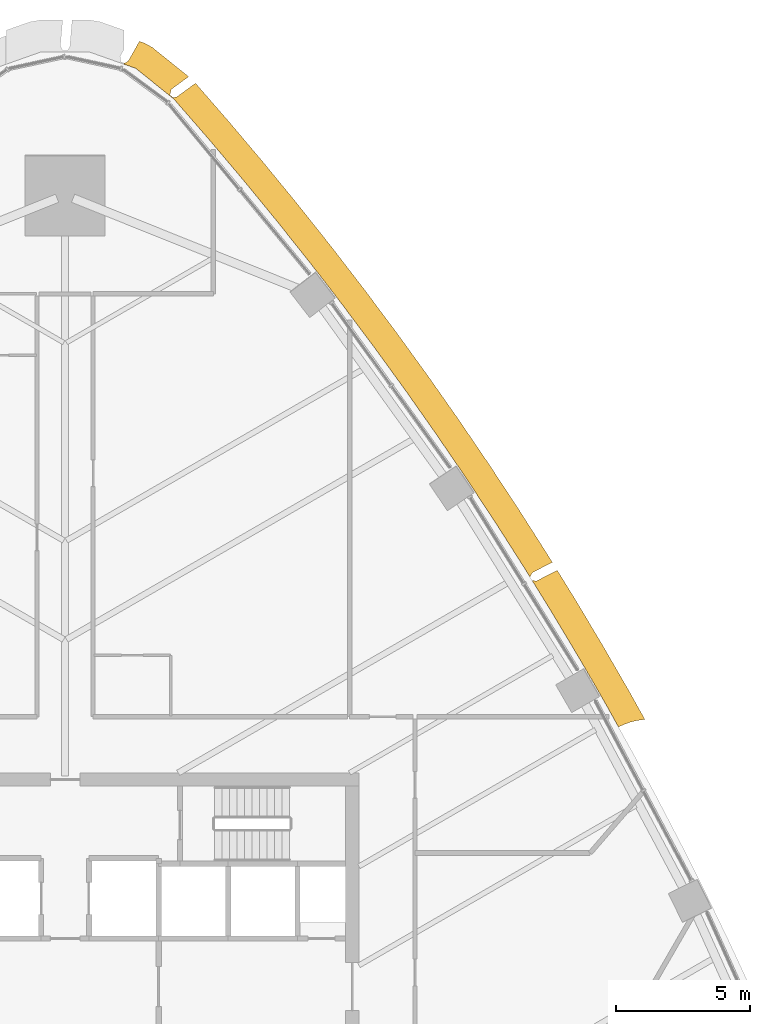
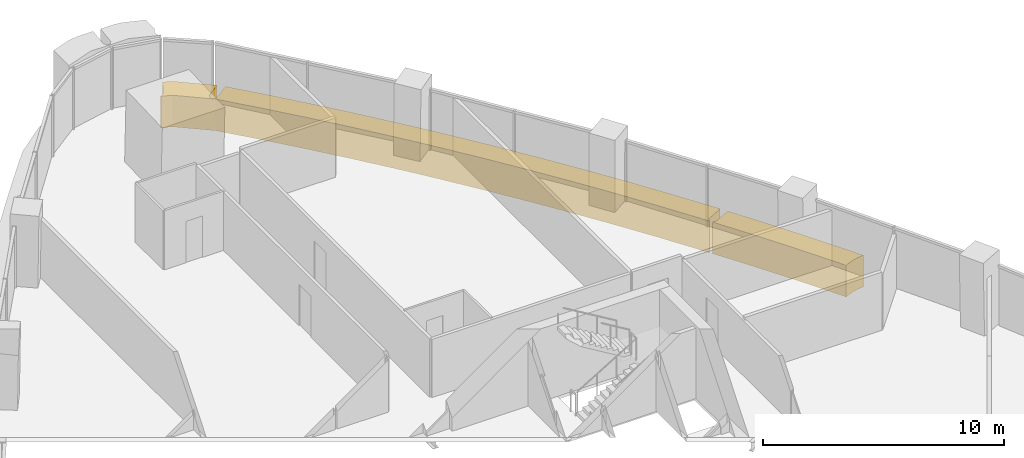
# One storey, part 16 of 17: 2 coverings.
"""IFC4 building model written with IfcOpenShell, lengths in metres."""

from ifc_helpers import new_model, si_unit, direction, frame, origin, place, context, subcontext, project, spatial, polyline, outline, extrude, material, layer, layer_set, type_object, element, save


model = new_model("IFC4")

# Units and contexts
model_context = context("Model", 3, precision=1e-05, world=origin(), true_north=direction((0.0, 1.0)))
body_context = subcontext(model_context, "Body", "Model", "MODEL_VIEW")
ifc_project = project(units=[si_unit("LENGTHUNIT", "METRE"), si_unit("AREAUNIT", "SQUARE_METRE"), si_unit("VOLUMEUNIT", "CUBIC_METRE"), si_unit("PLANEANGLEUNIT", "RADIAN"), si_unit("MASSUNIT", "GRAM", prefix="KILO")], contexts=[model_context])

# Site, building, storey
site_placement = place(None, origin())
site = spatial("IfcSite", under=ifc_project, at=site_placement, CompositionType="ELEMENT")
building_placement = place(site_placement, origin())
building = spatial("IfcBuilding", under=site, at=building_placement, Name="Sierra Prisma Convention Tower", CompositionType="ELEMENT")
storey_placement = place(building_placement, frame((0.0, 0.0, 99.800048828125)))
storey = spatial("IfcBuildingStorey", under=building, at=storey_placement, Name="L21", CompositionType="ELEMENT", Elevation=99.800048828125)

# Coverings
ifc_material = material(Name="Aluminium composite bronze anodised", Category="aluminium")
ifc_layer = layer(ifc_material, 1.0)
ifc_layer_set = layer_set([ifc_layer], Name="Bronze spandrel band")
covering_type = type_object("IfcCoveringType", Name="Bronze spandrel band", PredefinedType="CLADDING", material=ifc_layer_set)
covering_1_placement = place(storey_placement, frame((0.0, 0.0, -1.60009765625)))
element("IfcCovering", 1, at=covering_1_placement, inside=storey, type_object=covering_type, Name="Spandrel band L21.4", PredefinedType="CLADDING", context=body_context, shape_type="SweptSolid", body=[
    extrude(outline(polyline([(2.365234375, 34.64990234375), (2.368408203125, 34.6533203125), (2.371337890625, 34.656982421875), (2.373779296875, 34.660888671875), (2.78076171875, 35.38232421875), (2.975341796875, 35.313720703125), (3.27001953125, 35.1494140625), (4.624267578125, 34.058837890625), (3.987548828125, 33.593994140625), (3.983642578125, 33.5908203125), (3.980224609375, 33.587158203125), (3.97705078125, 33.58349609375), (3.97412109375, 33.579345703125), (3.971923828125, 33.574951171875), (3.969970703125, 33.5703125), (3.968505859375, 33.5654296875), (3.927978515625, 33.402587890625), (3.927001953125, 33.39794921875), (3.9267578125, 33.393310546875), (3.926513671875, 33.388427734375), (3.927001953125, 33.3837890625), (3.927978515625, 33.379150390625), (3.92919921875, 33.37451171875), (3.930908203125, 33.3701171875), (3.93310546875, 33.365966796875), (3.935546875, 33.36181640625), (3.9384765625, 33.358154296875), (3.941650390625, 33.354736328125), (3.9453125, 33.3515625), (4.023193359375, 33.288818359375), (4.027099609375, 33.285888671875), (4.031494140625, 33.283447265625), (4.035888671875, 33.28125), (4.04052734375, 33.27978515625), (4.04541015625, 33.278564453125), (4.05029296875, 33.27783203125), (4.05517578125, 33.277587890625), (4.060302734375, 33.278076171875), (4.065185546875, 33.27880859375), (4.175048828125, 33.302734375), (4.18017578125, 33.30419921875), (4.18505859375, 33.305908203125), (4.189697265625, 33.308349609375), (4.194091796875, 33.311279296875), (4.880615234375, 33.812744140625), (6.132080078125, 32.3740234375), (6.141845703125, 32.36279296875), (7.427978515625, 30.839599609375), (7.4375, 30.828125), (8.700927734375, 29.285888671875), (8.710205078125, 29.2744140625), (9.95068359375, 27.713623046875), (9.959716796875, 27.701904296875), (11.177001953125, 26.123046875), (11.18603515625, 26.111083984375), (12.3798828125, 24.514404296875), (12.388671875, 24.502685546875), (13.55859375, 22.88818359375), (13.567138671875, 22.876220703125), (14.713134765625, 21.244873046875), (14.7216796875, 21.232666015625), (15.84326171875, 19.58447265625), (15.8515625, 19.572265625), (16.94873046875, 17.90771484375), (16.956787109375, 17.895263671875), (18.029296875, 16.214599609375), (18.037109375, 16.201904296875), (18.236328125, 15.87939453125), (17.503662109375, 15.50537109375), (17.499267578125, 15.502685546875), (17.4951171875, 15.5), (17.4912109375, 15.49658203125), (17.48779296875, 15.492919921875), (17.48486328125, 15.48876953125), (17.482421875, 15.484619140625), (17.410888671875, 15.351806640625), (17.40869140625, 15.34765625), (17.4072265625, 15.343017578125), (17.406005859375, 15.33837890625), (17.4052734375, 15.333740234375), (17.40478515625, 15.328857421875), (17.405029296875, 15.32421875), (17.4052734375, 15.322021484375), (17.186279296875, 15.676513671875), (16.114013671875, 17.357177734375), (15.3583984375, 18.50341796875), (15.35791015625, 18.505615234375), (15.356689453125, 18.51025390625), (15.35498046875, 18.514892578125), (15.35302734375, 18.519287109375), (15.3505859375, 18.523193359375), (14.6826171875, 19.520263671875), (14.6796875, 19.5244140625), (14.676513671875, 19.52783203125), (14.6728515625, 19.53125), (14.6689453125, 19.5341796875), (14.667236328125, 19.53515625), (13.89501953125, 20.669921875), (12.748779296875, 22.301513671875), (11.578857421875, 23.915771484375), (10.385009765625, 25.512451171875), (10.154296875, 25.81201171875), (10.154296875, 25.81201171875), (10.152587890625, 25.816650390625), (10.15087890625, 25.82080078125), (10.1484375, 25.8251953125), (10.145751953125, 25.8291015625), (9.4130859375, 26.779296875), (9.409912109375, 26.783203125), (9.40625, 26.78662109375), (9.402587890625, 26.78955078125), (9.398681640625, 26.7919921875), (9.167724609375, 27.09130859375), (7.92724609375, 28.652099609375), (6.663818359375, 30.1943359375), (5.377685546875, 31.7177734375), (4.069091796875, 33.221923828125), (2.642822265625, 34.37060546875), (2.2099609375, 34.523193359375), (2.2099609375, 34.570556640625), (2.2119140625, 34.56982421875), (2.216796875, 34.568359375), (2.221923828125, 34.5673828125), (2.22705078125, 34.56689453125), (2.232421875, 34.567138671875), (2.2373046875, 34.56787109375), (2.242431640625, 34.569091796875), (2.247314453125, 34.57080078125), (2.251953125, 34.572998046875), (2.256591796875, 34.575439453125), (2.358154296875, 34.643798828125), (2.36181640625, 34.646728515625), (2.365234375, 34.64990234375)])), origin(), (0.0, 0.0, 1.0), 1.60009765625),
])
covering_2_placement = place(storey_placement, frame((0.0, 0.0, -1.60009765625)))
element("IfcCovering", 2, at=covering_2_placement, inside=storey, type_object=covering_type, Name="Spandrel band L21.5", PredefinedType="CLADDING", context=body_context, shape_type="SweptSolid", body=[
    extrude(outline(polyline([(17.637939453125, 15.188232421875), (17.64306640625, 15.188232421875), (17.648193359375, 15.188720703125), (17.6533203125, 15.18994140625), (17.657958984375, 15.19140625), (17.66259765625, 15.193603515625), (18.4208984375, 15.58056640625), (19.084716796875, 14.505615234375), (19.09228515625, 14.492919921875), (20.11474609375, 12.781494140625), (20.122314453125, 12.7685546875), (21.118896484375, 11.0419921875), (21.126220703125, 11.029052734375), (21.703125, 9.994873046875), (21.633056640625, 9.991455078125), (21.38916015625, 9.955078125), (21.149658203125, 9.89501953125), (20.91748046875, 9.81201171875), (20.7138671875, 9.7158203125), (20.2529296875, 10.5419921875), (20.06396484375, 10.869384765625), (20.06298828125, 10.873779296875), (20.061767578125, 10.878662109375), (20.06005859375, 10.883056640625), (20.0576171875, 10.887451171875), (19.457763671875, 11.9267578125), (19.455078125, 11.930908203125), (19.451904296875, 11.934814453125), (19.448486328125, 11.938232421875), (19.4453125, 11.941162109375), (19.256103515625, 12.2685546875), (18.23388671875, 13.980224609375), (17.47900390625, 15.20263671875), (17.48291015625, 15.2001953125), (17.4873046875, 15.197998046875), (17.49169921875, 15.196044921875), (17.496337890625, 15.19482421875), (17.501220703125, 15.19384765625), (17.505859375, 15.193359375), (17.637939453125, 15.188232421875)])), origin(), (0.0, 0.0, 1.0), 1.60009765625),
])

save(model, "model.ifc")
